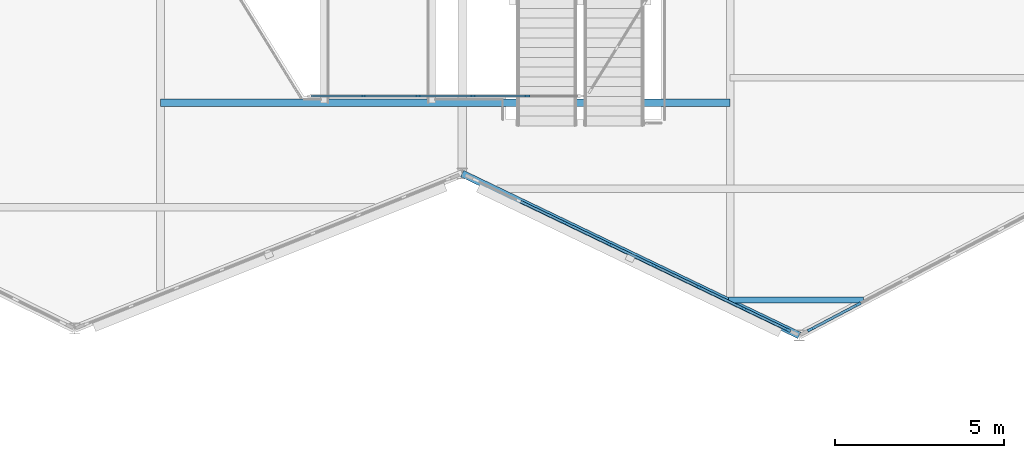
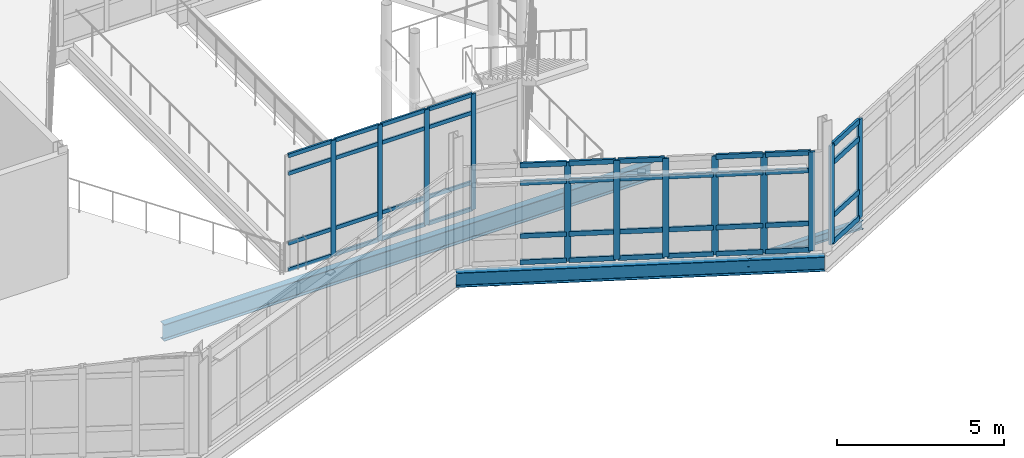
# One storey, part 30 of 114: 55 members, 3 beams, 3 elements without a shape of their own.
"""IFC4 building model written with IfcOpenShell, lengths in metres."""

from ifc_helpers import new_model, si_unit, direction, frame, origin, origin_2d, place, context, subcontext, project, spatial, rectangle, i_section, extrude, material, material_profile, profile_set, type_object, element, aggregate, save


model = new_model("IFC4")

# Units and contexts
model_context = context("Model", 3, precision=1e-05, world=origin(), true_north=direction((0.0, 1.0)))
body_context = subcontext(model_context, "Body", "Model", "MODEL_VIEW")
ifc_project = project(units=[si_unit("LENGTHUNIT", "METRE"), si_unit("AREAUNIT", "SQUARE_METRE"), si_unit("VOLUMEUNIT", "CUBIC_METRE"), si_unit("PLANEANGLEUNIT", "RADIAN"), si_unit("MASSUNIT", "GRAM", prefix="KILO")], contexts=[model_context])

# Site, building, storey
site_placement = place(None, origin())
site = spatial("IfcSite", under=ifc_project, at=site_placement, CompositionType="ELEMENT")
building_placement = place(site_placement, origin())
building = spatial("IfcBuilding", under=site, at=building_placement, Name="Tameran Prism Museum", CompositionType="ELEMENT")
storey_placement = place(building_placement, frame((0.0, 0.0, 10.199951171875)))
storey = spatial("IfcBuildingStorey", under=building, at=storey_placement, Name="L02", CompositionType="ELEMENT", Elevation=10.199951171875)

# Beams
ifc_material_1 = material(Name="Steel Grade 300PLUS (300 MPa)", Category="steel")
ifc_material_profile_1 = material_profile(ifc_material_1, i_section(OverallWidth=0.1650390625, OverallDepth=0.303955078125, WebThickness=0.006103515625, FlangeThickness=0.01025390625, FilletRadius=0.011474609375, at=origin_2d()))
ifc_profile_set_1 = profile_set([ifc_material_profile_1])
beam_type_1 = type_object("IfcBeamType", Name="BM-J310B", PredefinedType="JOIST", material=ifc_profile_set_1)
beam_1_placement = place(storey_placement, frame((85.405029296875, 23.64990234375, -0.35205078125), z_axis=(1.0, 0.0, 0.0), x_axis=(0.0, 1.0, 0.0)))
element("IfcBeam", 1, at=beam_1_placement, inside=storey, type_object=beam_type_1, Name="Floor Beam BM-0854", PredefinedType="JOIST", context=body_context, shape_type="SweptSolid", body=[
    extrude(i_section(OverallWidth=0.1650390625, OverallDepth=0.303955078125, WebThickness=0.006103515625, FlangeThickness=0.01025390625, FilletRadius=0.011474609375, at=origin_2d()), origin(), (0.0, 0.0, 1.0), 3.9970703125),
])
ifc_material_2 = material(Name="Steel Grade 300PLUS (300 MPa)", Category="steel")
ifc_material_profile_2 = material_profile(ifc_material_2, i_section(OverallWidth=0.208984375, OverallDepth=0.532958984375, WebThickness=0.01025390625, FlangeThickness=0.015625, FilletRadius=0.013916015625, at=origin_2d()))
ifc_profile_set_2 = profile_set([ifc_material_profile_2])
beam_type_2 = type_object("IfcBeamType", Name="BM-SP530A", PredefinedType="SPANDREL", material=ifc_profile_set_2)
beam_2_placement = place(storey_placement, frame((77.5, 27.39990234375, -0.466552734375), z_axis=(0.901529926538, -0.432716756732, 0.0), x_axis=(0.432716756732, 0.901529926538, 0.0)))
element("IfcBeam", 2, at=beam_2_placement, inside=storey, type_object=beam_type_2, Name="Perimeter Spandrel SP-0685", PredefinedType="SPANDREL", context=body_context, shape_type="SweptSolid", body=[
    extrude(i_section(OverallWidth=0.208984375, OverallDepth=0.532958984375, WebThickness=0.01025390625, FlangeThickness=0.015625, FilletRadius=0.013916015625, at=origin_2d()), origin(), (0.0, 0.0, 1.0), 11.09228515625),
])
ifc_material_3 = material(Name="Steel Grade 300PLUS (300 MPa)", Category="steel")
ifc_material_profile_3 = material_profile(ifc_material_3, i_section(OverallWidth=0.22900390625, OverallDepth=0.612060546875, WebThickness=0.011962890625, FlangeThickness=0.01953125, FilletRadius=0.013916015625, at=origin_2d()))
ifc_profile_set_3 = profile_set([ifc_material_profile_3])
beam_type_3 = type_object("IfcBeamType", Name="BM-UB610A", PredefinedType="BEAM", material=ifc_profile_set_3)
beam_3_placement = place(storey_placement, frame((68.550048828125, 29.5, -0.5458984375), z_axis=(1.0, 0.0, 0.0), x_axis=(0.0, 1.0, 0.0)))
element("IfcBeam", 3, at=beam_3_placement, inside=storey, type_object=beam_type_3, Name="Atrium Transverse Trimmer ATE-0805", PredefinedType="BEAM", context=body_context, shape_type="SweptSolid", body=[
    extrude(i_section(OverallWidth=0.22900390625, OverallDepth=0.612060546875, WebThickness=0.011962890625, FlangeThickness=0.01953125, FilletRadius=0.013916015625, at=origin_2d()), origin(), (0.0, 0.0, 1.0), 16.89990234375),
])

# Curtain wall, members
ifc_material_4 = material(Name="Anodised Aluminium 6063-T6 and Cyclone Solar Glass", Category="aluminium")
curtain_wall_type_1 = type_object("IfcCurtainWallType", Name="CW-ATR-810x424", PredefinedType="USERDEFINED", material=ifc_material_4)
curtain_wall_1_placement = place(storey_placement, origin())
curtain_wall_1 = element("IfcCurtainWall", 4, at=curtain_wall_1_placement, inside=storey, type_object=curtain_wall_type_1, Name="Unitised Curtain Wall CW-007", ObjectType="UNITISED CURTAIN WALL", PredefinedType="USERDEFINED")
ifc_material_5 = material(Name="Anodised Aluminium Alloy 6063-T6", Category="aluminium")
ifc_material_profile_4 = material_profile(ifc_material_5, rectangle(XDim=0.06494140625, YDim=0.159912109375, at=origin_2d()))
ifc_profile_set_4 = profile_set([ifc_material_profile_4])
member_type_1 = type_object("IfcMemberType", Name="CW-MUL-A", PredefinedType="MULLION", material=ifc_profile_set_4)
member_1_placement = place(storey_placement, frame((74.570068359375, 29.699951171875, 0.0), z_axis=(0.0, 0.0, 1.0), x_axis=(0.0, 1.0, 0.0)))
member_1 = element("IfcMember", 5, at=member_1_placement, type_object=member_type_1, Name="CW-007 mullion 2", PredefinedType="MULLION", context=body_context, shape_type="SweptSolid", body=[
    extrude(rectangle(XDim=0.06494140625, YDim=0.159912109375, at=origin_2d()), origin(), (0.0, 0.0, 1.0), 4.239990234375),
])
member_2_placement = place(storey_placement, frame((76.18994140625, 29.699951171875, 0.0), z_axis=(0.0, 0.0, 1.0), x_axis=(0.0, 1.0, 0.0)))
member_2 = element("IfcMember", 6, at=member_2_placement, type_object=member_type_1, Name="CW-007 mullion 3", PredefinedType="MULLION", context=body_context, shape_type="SweptSolid", body=[
    extrude(rectangle(XDim=0.06494140625, YDim=0.159912109375, at=origin_2d()), origin(), (0.0, 0.0, 1.0), 4.239990234375),
])
member_3_placement = place(storey_placement, frame((77.81005859375, 29.699951171875, 0.0), z_axis=(0.0, 0.0, 1.0), x_axis=(0.0, 1.0, 0.0)))
member_3 = element("IfcMember", 7, at=member_3_placement, type_object=member_type_1, Name="CW-007 mullion 4", PredefinedType="MULLION", context=body_context, shape_type="SweptSolid", body=[
    extrude(rectangle(XDim=0.06494140625, YDim=0.159912109375, at=origin_2d()), origin(), (0.0, 0.0, 1.0), 4.239990234375),
])
member_4_placement = place(storey_placement, frame((79.429931640625, 29.699951171875, 0.0), z_axis=(0.0, 0.0, 1.0), x_axis=(0.0, 1.0, 0.0)))
member_4 = element("IfcMember", 8, at=member_4_placement, type_object=member_type_1, Name="CW-007 mullion 5", PredefinedType="MULLION", context=body_context, shape_type="SweptSolid", body=[
    extrude(rectangle(XDim=0.06494140625, YDim=0.159912109375, at=origin_2d()), origin(), (0.0, 0.0, 1.0), 4.239990234375),
])

ifc_material_6 = material(Name="Anodised Aluminium 6063-T6 and Cyclone Solar Glass", Category="aluminium")
curtain_wall_type_2 = type_object("IfcCurtainWallType", Name="CW-FAC-1033x362", PredefinedType="USERDEFINED", material=ifc_material_6)
curtain_wall_2_placement = place(storey_placement, origin())
curtain_wall_2 = element("IfcCurtainWall", 9, at=curtain_wall_2_placement, inside=storey, type_object=curtain_wall_type_2, Name="Unitised Curtain Wall CW-109", ObjectType="UNITISED CURTAIN WALL", PredefinedType="USERDEFINED")
ifc_material_7 = material(Name="Anodised Aluminium Alloy 6063-T6", Category="aluminium")
ifc_material_profile_5 = material_profile(ifc_material_7, rectangle(XDim=0.074951171875, YDim=0.199951171875, at=origin_2d()))
ifc_profile_set_5 = profile_set([ifc_material_profile_5])
member_type_2 = type_object("IfcMemberType", Name="CW-MUL-C", PredefinedType="MULLION", material=ifc_profile_set_5)
member_5_placement = place(storey_placement, frame((87.150146484375, 22.767333984375, 0.0), z_axis=(0.0, 0.0, 1.0), x_axis=(-0.432831753637, -0.901474721245, 0.0)))
member_5 = element("IfcMember", 10, at=member_5_placement, type_object=member_type_2, Name="CW-109 mullion 1", PredefinedType="MULLION", context=body_context, shape_type="SweptSolid", body=[
    extrude(rectangle(XDim=0.074951171875, YDim=0.199951171875, at=origin_2d()), origin(), (0.0, 0.0, 1.0), 3.6201171875),
])
member_6_placement = place(storey_placement, frame((85.853515625, 23.389892578125, 0.0), z_axis=(0.0, 0.0, 1.0), x_axis=(-0.432831753637, -0.901474721245, 0.0)))
member_6 = element("IfcMember", 11, at=member_6_placement, type_object=member_type_2, Name="CW-109 mullion 2", PredefinedType="MULLION", context=body_context, shape_type="SweptSolid", body=[
    extrude(rectangle(XDim=0.074951171875, YDim=0.199951171875, at=origin_2d()), origin(), (0.0, 0.0, 1.0), 3.6201171875),
])
member_7_placement = place(storey_placement, frame((84.52294921875, 24.02880859375, 0.0), z_axis=(0.0, 0.0, 1.0), x_axis=(-0.432831753637, -0.901474721245, 0.0)))
member_7 = element("IfcMember", 12, at=member_7_placement, type_object=member_type_2, Name="CW-109 mullion 3", PredefinedType="MULLION", context=body_context, shape_type="SweptSolid", body=[
    extrude(rectangle(XDim=0.074951171875, YDim=0.199951171875, at=origin_2d()), origin(), (0.0, 0.0, 1.0), 3.6201171875),
])
member_8_placement = place(storey_placement, frame((83.1923828125, 24.66748046875, 0.0), z_axis=(0.0, 0.0, 1.0), x_axis=(-0.432831753637, -0.901474721245, 0.0)))
member_8 = element("IfcMember", 13, at=member_8_placement, type_object=member_type_2, Name="CW-109 mullion 4", PredefinedType="MULLION", context=body_context, shape_type="SweptSolid", body=[
    extrude(rectangle(XDim=0.074951171875, YDim=0.199951171875, at=origin_2d()), origin(), (0.0, 0.0, 1.0), 3.6201171875),
])
member_9_placement = place(storey_placement, frame((81.86181640625, 25.306396484375, 0.0), z_axis=(0.0, 0.0, 1.0), x_axis=(-0.432831753637, -0.901474721245, 0.0)))
member_9 = element("IfcMember", 14, at=member_9_placement, type_object=member_type_2, Name="CW-109 mullion 5", PredefinedType="MULLION", context=body_context, shape_type="SweptSolid", body=[
    extrude(rectangle(XDim=0.074951171875, YDim=0.199951171875, at=origin_2d()), origin(), (0.0, 0.0, 1.0), 3.6201171875),
])
member_10_placement = place(storey_placement, frame((80.53125, 25.9453125, 0.0), z_axis=(0.0, 0.0, 1.0), x_axis=(-0.432831753637, -0.901474721245, 0.0)))
member_10 = element("IfcMember", 15, at=member_10_placement, type_object=member_type_2, Name="CW-109 mullion 6", PredefinedType="MULLION", context=body_context, shape_type="SweptSolid", body=[
    extrude(rectangle(XDim=0.074951171875, YDim=0.199951171875, at=origin_2d()), origin(), (0.0, 0.0, 1.0), 3.6201171875),
])

ifc_material_8 = material(Name="Anodised Aluminium 6063-T6 and Cyclone Solar Glass", Category="aluminium")
curtain_wall_type_3 = type_object("IfcCurtainWallType", Name="CW-FAC-1123x362", PredefinedType="USERDEFINED", material=ifc_material_8)
curtain_wall_3_placement = place(storey_placement, origin())
curtain_wall_3 = element("IfcCurtainWall", 16, at=curtain_wall_3_placement, inside=storey, type_object=curtain_wall_type_3, Name="Unitised Curtain Wall CW-110", ObjectType="UNITISED CURTAIN WALL", PredefinedType="USERDEFINED")
ifc_material_9 = material(Name="Anodised Aluminium Alloy 6063-T6", Category="aluminium")
ifc_material_profile_6 = material_profile(ifc_material_9, rectangle(XDim=0.080078125, YDim=0.219970703125, at=origin_2d()))
ifc_profile_set_6 = profile_set([ifc_material_profile_6])
member_type_3 = type_object("IfcMemberType", Name="CW-MUL-D", PredefinedType="MULLION", material=ifc_profile_set_6)
member_11_placement = place(storey_placement, frame((89.2275390625, 23.512451171875, 0.0), z_axis=(0.0, 0.0, 1.0), x_axis=(0.467155185438, -0.884175340483, 0.0)))
member_11 = element("IfcMember", 17, at=member_11_placement, type_object=member_type_3, Name="CW-110 mullion 7", PredefinedType="MULLION", context=body_context, shape_type="SweptSolid", body=[
    extrude(rectangle(XDim=0.080078125, YDim=0.219970703125, at=origin_2d()), origin(), (0.0, 0.0, 1.0), 3.6201171875),
])
member_12_placement = place(storey_placement, frame((87.844482421875, 22.78173828125, 0.0), z_axis=(0.0, 0.0, 1.0), x_axis=(0.467155185438, -0.884175340483, 0.0)))
member_12 = element("IfcMember", 18, at=member_12_placement, type_object=member_type_3, Name="CW-110 mullion 8", PredefinedType="MULLION", context=body_context, shape_type="SweptSolid", body=[
    extrude(rectangle(XDim=0.080078125, YDim=0.219970703125, at=origin_2d()), origin(), (0.0, 0.0, 1.0), 3.6201171875),
])

# Member
ifc_material_10 = material(Name="Anodised Aluminium Alloy 6063-T6", Category="aluminium")
ifc_material_profile_7 = material_profile(ifc_material_10, rectangle(XDim=0.06494140625, YDim=0.139892578125, at=origin_2d()))
ifc_profile_set_7 = profile_set([ifc_material_profile_7])
member_type_4 = type_object("IfcMemberType", Name="CW-TRN-A", PredefinedType="USERDEFINED", material=ifc_profile_set_7)
member_13_placement = place(storey_placement, frame((73.014892578125, 29.699951171875, 0.032470703125), z_axis=(1.0, 0.0, 0.0), x_axis=(0.0, 1.0, 0.0)))
member_13 = element("IfcMember", 19, at=member_13_placement, type_object=member_type_4, Name="CW-007 transom 1.1", ObjectType="TRANSOM", PredefinedType="USERDEFINED", context=body_context, shape_type="SweptSolid", body=[
    extrude(rectangle(XDim=0.06494140625, YDim=0.139892578125, at=origin_2d()), origin(), (0.0, 0.0, 1.0), 1.522705078125),
])

member_14_placement = place(storey_placement, frame((73.014892578125, 29.699951171875, 1.0), z_axis=(1.0, 0.0, 0.0), x_axis=(0.0, 1.0, 0.0)))
member_14 = element("IfcMember", 20, at=member_14_placement, type_object=member_type_4, Name="CW-007 transom 1.2", ObjectType="TRANSOM", PredefinedType="USERDEFINED", context=body_context, shape_type="SweptSolid", body=[
    extrude(rectangle(XDim=0.06494140625, YDim=0.139892578125, at=origin_2d()), origin(), (0.0, 0.0, 1.0), 1.522705078125),
])

member_15_placement = place(storey_placement, frame((73.014892578125, 29.699951171875, 3.56005859375), z_axis=(1.0, 0.0, 0.0), x_axis=(0.0, 1.0, 0.0)))
member_15 = element("IfcMember", 21, at=member_15_placement, type_object=member_type_4, Name="CW-007 transom 1.3", ObjectType="TRANSOM", PredefinedType="USERDEFINED", context=body_context, shape_type="SweptSolid", body=[
    extrude(rectangle(XDim=0.06494140625, YDim=0.139892578125, at=origin_2d()), origin(), (0.0, 0.0, 1.0), 1.522705078125),
])

member_16_placement = place(storey_placement, frame((73.014892578125, 29.699951171875, 4.20751953125), z_axis=(1.0, 0.0, 0.0), x_axis=(0.0, 1.0, 0.0)))
member_16 = element("IfcMember", 22, at=member_16_placement, type_object=member_type_4, Name="CW-007 transom 1.4", ObjectType="TRANSOM", PredefinedType="USERDEFINED", context=body_context, shape_type="SweptSolid", body=[
    extrude(rectangle(XDim=0.06494140625, YDim=0.139892578125, at=origin_2d()), origin(), (0.0, 0.0, 1.0), 1.522705078125),
])

member_17_placement = place(storey_placement, frame((74.6025390625, 29.699951171875, 0.032470703125), z_axis=(1.0, 0.0, 0.0), x_axis=(0.0, 1.0, 0.0)))
member_17 = element("IfcMember", 23, at=member_17_placement, type_object=member_type_4, Name="CW-007 transom 2.1", ObjectType="TRANSOM", PredefinedType="USERDEFINED", context=body_context, shape_type="SweptSolid", body=[
    extrude(rectangle(XDim=0.06494140625, YDim=0.139892578125, at=origin_2d()), origin(), (0.0, 0.0, 1.0), 1.554931640625),
])

member_18_placement = place(storey_placement, frame((74.6025390625, 29.699951171875, 1.0), z_axis=(1.0, 0.0, 0.0), x_axis=(0.0, 1.0, 0.0)))
member_18 = element("IfcMember", 24, at=member_18_placement, type_object=member_type_4, Name="CW-007 transom 2.2", ObjectType="TRANSOM", PredefinedType="USERDEFINED", context=body_context, shape_type="SweptSolid", body=[
    extrude(rectangle(XDim=0.06494140625, YDim=0.139892578125, at=origin_2d()), origin(), (0.0, 0.0, 1.0), 1.554931640625),
])

member_19_placement = place(storey_placement, frame((74.6025390625, 29.699951171875, 3.56005859375), z_axis=(1.0, 0.0, 0.0), x_axis=(0.0, 1.0, 0.0)))
member_19 = element("IfcMember", 25, at=member_19_placement, type_object=member_type_4, Name="CW-007 transom 2.3", ObjectType="TRANSOM", PredefinedType="USERDEFINED", context=body_context, shape_type="SweptSolid", body=[
    extrude(rectangle(XDim=0.06494140625, YDim=0.139892578125, at=origin_2d()), origin(), (0.0, 0.0, 1.0), 1.554931640625),
])

member_20_placement = place(storey_placement, frame((74.6025390625, 29.699951171875, 4.20751953125), z_axis=(1.0, 0.0, 0.0), x_axis=(0.0, 1.0, 0.0)))
member_20 = element("IfcMember", 26, at=member_20_placement, type_object=member_type_4, Name="CW-007 transom 2.4", ObjectType="TRANSOM", PredefinedType="USERDEFINED", context=body_context, shape_type="SweptSolid", body=[
    extrude(rectangle(XDim=0.06494140625, YDim=0.139892578125, at=origin_2d()), origin(), (0.0, 0.0, 1.0), 1.554931640625),
])

member_21_placement = place(storey_placement, frame((76.222412109375, 29.699951171875, 0.032470703125), z_axis=(1.0, 0.0, 0.0), x_axis=(0.0, 1.0, 0.0)))
member_21 = element("IfcMember", 27, at=member_21_placement, type_object=member_type_4, Name="CW-007 transom 3.1", ObjectType="TRANSOM", PredefinedType="USERDEFINED", context=body_context, shape_type="SweptSolid", body=[
    extrude(rectangle(XDim=0.06494140625, YDim=0.139892578125, at=origin_2d()), origin(), (0.0, 0.0, 1.0), 1.55517578125),
])

member_22_placement = place(storey_placement, frame((76.222412109375, 29.699951171875, 1.0), z_axis=(1.0, 0.0, 0.0), x_axis=(0.0, 1.0, 0.0)))
member_22 = element("IfcMember", 28, at=member_22_placement, type_object=member_type_4, Name="CW-007 transom 3.2", ObjectType="TRANSOM", PredefinedType="USERDEFINED", context=body_context, shape_type="SweptSolid", body=[
    extrude(rectangle(XDim=0.06494140625, YDim=0.139892578125, at=origin_2d()), origin(), (0.0, 0.0, 1.0), 1.55517578125),
])

member_23_placement = place(storey_placement, frame((76.222412109375, 29.699951171875, 3.56005859375), z_axis=(1.0, 0.0, 0.0), x_axis=(0.0, 1.0, 0.0)))
member_23 = element("IfcMember", 29, at=member_23_placement, type_object=member_type_4, Name="CW-007 transom 3.3", ObjectType="TRANSOM", PredefinedType="USERDEFINED", context=body_context, shape_type="SweptSolid", body=[
    extrude(rectangle(XDim=0.06494140625, YDim=0.139892578125, at=origin_2d()), origin(), (0.0, 0.0, 1.0), 1.55517578125),
])

member_24_placement = place(storey_placement, frame((76.222412109375, 29.699951171875, 4.20751953125), z_axis=(1.0, 0.0, 0.0), x_axis=(0.0, 1.0, 0.0)))
member_24 = element("IfcMember", 30, at=member_24_placement, type_object=member_type_4, Name="CW-007 transom 3.4", ObjectType="TRANSOM", PredefinedType="USERDEFINED", context=body_context, shape_type="SweptSolid", body=[
    extrude(rectangle(XDim=0.06494140625, YDim=0.139892578125, at=origin_2d()), origin(), (0.0, 0.0, 1.0), 1.55517578125),
])

member_25_placement = place(storey_placement, frame((77.842529296875, 29.699951171875, 0.032470703125), z_axis=(1.0, 0.0, 0.0), x_axis=(0.0, 1.0, 0.0)))
member_25 = element("IfcMember", 31, at=member_25_placement, type_object=member_type_4, Name="CW-007 transom 4.1", ObjectType="TRANSOM", PredefinedType="USERDEFINED", context=body_context, shape_type="SweptSolid", body=[
    extrude(rectangle(XDim=0.06494140625, YDim=0.139892578125, at=origin_2d()), origin(), (0.0, 0.0, 1.0), 1.554931640625),
])

member_26_placement = place(storey_placement, frame((77.842529296875, 29.699951171875, 1.0), z_axis=(1.0, 0.0, 0.0), x_axis=(0.0, 1.0, 0.0)))
member_26 = element("IfcMember", 32, at=member_26_placement, type_object=member_type_4, Name="CW-007 transom 4.2", ObjectType="TRANSOM", PredefinedType="USERDEFINED", context=body_context, shape_type="SweptSolid", body=[
    extrude(rectangle(XDim=0.06494140625, YDim=0.139892578125, at=origin_2d()), origin(), (0.0, 0.0, 1.0), 1.554931640625),
])

member_27_placement = place(storey_placement, frame((77.842529296875, 29.699951171875, 3.56005859375), z_axis=(1.0, 0.0, 0.0), x_axis=(0.0, 1.0, 0.0)))
member_27 = element("IfcMember", 33, at=member_27_placement, type_object=member_type_4, Name="CW-007 transom 4.3", ObjectType="TRANSOM", PredefinedType="USERDEFINED", context=body_context, shape_type="SweptSolid", body=[
    extrude(rectangle(XDim=0.06494140625, YDim=0.139892578125, at=origin_2d()), origin(), (0.0, 0.0, 1.0), 1.554931640625),
])

member_28_placement = place(storey_placement, frame((77.842529296875, 29.699951171875, 4.20751953125), z_axis=(1.0, 0.0, 0.0), x_axis=(0.0, 1.0, 0.0)))
member_28 = element("IfcMember", 34, at=member_28_placement, type_object=member_type_4, Name="CW-007 transom 4.4", ObjectType="TRANSOM", PredefinedType="USERDEFINED", context=body_context, shape_type="SweptSolid", body=[
    extrude(rectangle(XDim=0.06494140625, YDim=0.139892578125, at=origin_2d()), origin(), (0.0, 0.0, 1.0), 1.554931640625),
])

aggregate(curtain_wall_1, [member_1, member_2, member_3, member_4, member_13, member_14, member_15, member_16, member_17, member_18, member_19, member_20, member_21, member_22, member_23, member_24, member_25, member_26, member_27, member_28])

ifc_material_11 = material(Name="Anodised Aluminium Alloy 6063-T6", Category="aluminium")
ifc_material_profile_8 = material_profile(ifc_material_11, rectangle(XDim=0.074951171875, YDim=0.175048828125, at=origin_2d()))
ifc_profile_set_8 = profile_set([ifc_material_profile_8])
member_type_5 = type_object("IfcMemberType", Name="CW-TRN-C", PredefinedType="USERDEFINED", material=ifc_profile_set_8)
member_29_placement = place(storey_placement, frame((87.116455078125, 22.783447265625, 0.03759765625), z_axis=(-0.901509087026, 0.432760171468, 0.0), x_axis=(-0.432760171468, -0.901509087026, 0.0)))
member_29 = element("IfcMember", 35, at=member_29_placement, type_object=member_type_5, Name="CW-109 transom 1.1", ObjectType="TRANSOM", PredefinedType="USERDEFINED", context=body_context, shape_type="SweptSolid", body=[
    extrude(rectangle(XDim=0.074951171875, YDim=0.175048828125, at=origin_2d()), origin(), (0.0, 0.0, 1.0), 1.363525390625),
])

member_30_placement = place(storey_placement, frame((87.116455078125, 22.783447265625, 1.0), z_axis=(-0.901509087026, 0.432760171468, 0.0), x_axis=(-0.432760171468, -0.901509087026, 0.0)))
member_30 = element("IfcMember", 36, at=member_30_placement, type_object=member_type_5, Name="CW-109 transom 1.2", ObjectType="TRANSOM", PredefinedType="USERDEFINED", context=body_context, shape_type="SweptSolid", body=[
    extrude(rectangle(XDim=0.074951171875, YDim=0.175048828125, at=origin_2d()), origin(), (0.0, 0.0, 1.0), 1.363525390625),
])

member_31_placement = place(storey_placement, frame((87.116455078125, 22.783447265625, 2.93994140625), z_axis=(-0.901509087026, 0.432760171468, 0.0), x_axis=(-0.432760171468, -0.901509087026, 0.0)))
member_31 = element("IfcMember", 37, at=member_31_placement, type_object=member_type_5, Name="CW-109 transom 1.3", ObjectType="TRANSOM", PredefinedType="USERDEFINED", context=body_context, shape_type="SweptSolid", body=[
    extrude(rectangle(XDim=0.074951171875, YDim=0.175048828125, at=origin_2d()), origin(), (0.0, 0.0, 1.0), 1.363525390625),
])

member_32_placement = place(storey_placement, frame((87.116455078125, 22.783447265625, 3.58251953125), z_axis=(-0.901509087026, 0.432760171468, 0.0), x_axis=(-0.432760171468, -0.901509087026, 0.0)))
member_32 = element("IfcMember", 38, at=member_32_placement, type_object=member_type_5, Name="CW-109 transom 1.4", ObjectType="TRANSOM", PredefinedType="USERDEFINED", context=body_context, shape_type="SweptSolid", body=[
    extrude(rectangle(XDim=0.074951171875, YDim=0.175048828125, at=origin_2d()), origin(), (0.0, 0.0, 1.0), 1.363525390625),
])

member_33_placement = place(storey_placement, frame((85.819580078125, 23.406005859375, 0.03759765625), z_axis=(-0.90145778391, 0.432867027882, 0.0), x_axis=(-0.432867027882, -0.90145778391, 0.0)))
member_33 = element("IfcMember", 39, at=member_33_placement, type_object=member_type_5, Name="CW-109 transom 2.1", ObjectType="TRANSOM", PredefinedType="USERDEFINED", context=body_context, shape_type="SweptSolid", body=[
    extrude(rectangle(XDim=0.074951171875, YDim=0.175048828125, at=origin_2d()), origin(), (0.0, 0.0, 1.0), 1.40087890625),
])

member_34_placement = place(storey_placement, frame((85.819580078125, 23.406005859375, 1.0), z_axis=(-0.90145778391, 0.432867027882, 0.0), x_axis=(-0.432867027882, -0.90145778391, 0.0)))
member_34 = element("IfcMember", 40, at=member_34_placement, type_object=member_type_5, Name="CW-109 transom 2.2", ObjectType="TRANSOM", PredefinedType="USERDEFINED", context=body_context, shape_type="SweptSolid", body=[
    extrude(rectangle(XDim=0.074951171875, YDim=0.175048828125, at=origin_2d()), origin(), (0.0, 0.0, 1.0), 1.40087890625),
])

member_35_placement = place(storey_placement, frame((85.819580078125, 23.406005859375, 2.93994140625), z_axis=(-0.90145778391, 0.432867027882, 0.0), x_axis=(-0.432867027882, -0.90145778391, 0.0)))
member_35 = element("IfcMember", 41, at=member_35_placement, type_object=member_type_5, Name="CW-109 transom 2.3", ObjectType="TRANSOM", PredefinedType="USERDEFINED", context=body_context, shape_type="SweptSolid", body=[
    extrude(rectangle(XDim=0.074951171875, YDim=0.175048828125, at=origin_2d()), origin(), (0.0, 0.0, 1.0), 1.40087890625),
])

member_36_placement = place(storey_placement, frame((85.819580078125, 23.406005859375, 3.58251953125), z_axis=(-0.90145778391, 0.432867027882, 0.0), x_axis=(-0.432867027882, -0.90145778391, 0.0)))
member_36 = element("IfcMember", 42, at=member_36_placement, type_object=member_type_5, Name="CW-109 transom 2.4", ObjectType="TRANSOM", PredefinedType="USERDEFINED", context=body_context, shape_type="SweptSolid", body=[
    extrude(rectangle(XDim=0.074951171875, YDim=0.175048828125, at=origin_2d()), origin(), (0.0, 0.0, 1.0), 1.40087890625),
])

member_37_placement = place(storey_placement, frame((84.489013671875, 24.044921875, 0.03759765625), z_axis=(-0.90145778391, 0.432867027882, 0.0), x_axis=(-0.432867027882, -0.90145778391, 0.0)))
member_37 = element("IfcMember", 43, at=member_37_placement, type_object=member_type_5, Name="CW-109 transom 3.1", ObjectType="TRANSOM", PredefinedType="USERDEFINED", context=body_context, shape_type="SweptSolid", body=[
    extrude(rectangle(XDim=0.074951171875, YDim=0.175048828125, at=origin_2d()), origin(), (0.0, 0.0, 1.0), 1.40087890625),
])

member_38_placement = place(storey_placement, frame((84.489013671875, 24.044921875, 1.0), z_axis=(-0.90145778391, 0.432867027882, 0.0), x_axis=(-0.432867027882, -0.90145778391, 0.0)))
member_38 = element("IfcMember", 44, at=member_38_placement, type_object=member_type_5, Name="CW-109 transom 3.2", ObjectType="TRANSOM", PredefinedType="USERDEFINED", context=body_context, shape_type="SweptSolid", body=[
    extrude(rectangle(XDim=0.074951171875, YDim=0.175048828125, at=origin_2d()), origin(), (0.0, 0.0, 1.0), 1.40087890625),
])

member_39_placement = place(storey_placement, frame((84.489013671875, 24.044921875, 2.93994140625), z_axis=(-0.90145778391, 0.432867027882, 0.0), x_axis=(-0.432867027882, -0.90145778391, 0.0)))
member_39 = element("IfcMember", 45, at=member_39_placement, type_object=member_type_5, Name="CW-109 transom 3.3", ObjectType="TRANSOM", PredefinedType="USERDEFINED", context=body_context, shape_type="SweptSolid", body=[
    extrude(rectangle(XDim=0.074951171875, YDim=0.175048828125, at=origin_2d()), origin(), (0.0, 0.0, 1.0), 1.40087890625),
])

member_40_placement = place(storey_placement, frame((83.158447265625, 24.683837890625, 0.03759765625), z_axis=(-0.90145778391, 0.432867027882, 0.0), x_axis=(-0.432867027882, -0.90145778391, 0.0)))
member_40 = element("IfcMember", 46, at=member_40_placement, type_object=member_type_5, Name="CW-109 transom 4.1", ObjectType="TRANSOM", PredefinedType="USERDEFINED", context=body_context, shape_type="SweptSolid", body=[
    extrude(rectangle(XDim=0.074951171875, YDim=0.175048828125, at=origin_2d()), origin(), (0.0, 0.0, 1.0), 1.40087890625),
])

member_41_placement = place(storey_placement, frame((83.158447265625, 24.683837890625, 1.0), z_axis=(-0.90145778391, 0.432867027882, 0.0), x_axis=(-0.432867027882, -0.90145778391, 0.0)))
member_41 = element("IfcMember", 47, at=member_41_placement, type_object=member_type_5, Name="CW-109 transom 4.2", ObjectType="TRANSOM", PredefinedType="USERDEFINED", context=body_context, shape_type="SweptSolid", body=[
    extrude(rectangle(XDim=0.074951171875, YDim=0.175048828125, at=origin_2d()), origin(), (0.0, 0.0, 1.0), 1.40087890625),
])

member_42_placement = place(storey_placement, frame((83.158447265625, 24.683837890625, 2.93994140625), z_axis=(-0.90145778391, 0.432867027882, 0.0), x_axis=(-0.432867027882, -0.90145778391, 0.0)))
member_42 = element("IfcMember", 48, at=member_42_placement, type_object=member_type_5, Name="CW-109 transom 4.3", ObjectType="TRANSOM", PredefinedType="USERDEFINED", context=body_context, shape_type="SweptSolid", body=[
    extrude(rectangle(XDim=0.074951171875, YDim=0.175048828125, at=origin_2d()), origin(), (0.0, 0.0, 1.0), 1.40087890625),
])

member_43_placement = place(storey_placement, frame((83.158447265625, 24.683837890625, 3.58251953125), z_axis=(-0.90145778391, 0.432867027882, 0.0), x_axis=(-0.432867027882, -0.90145778391, 0.0)))
member_43 = element("IfcMember", 49, at=member_43_placement, type_object=member_type_5, Name="CW-109 transom 4.4", ObjectType="TRANSOM", PredefinedType="USERDEFINED", context=body_context, shape_type="SweptSolid", body=[
    extrude(rectangle(XDim=0.074951171875, YDim=0.175048828125, at=origin_2d()), origin(), (0.0, 0.0, 1.0), 1.40087890625),
])

member_44_placement = place(storey_placement, frame((81.827880859375, 25.32275390625, 0.03759765625), z_axis=(-0.90152577696, 0.432725401931, 0.0), x_axis=(-0.432725401931, -0.90152577696, 0.0)))
member_44 = element("IfcMember", 50, at=member_44_placement, type_object=member_type_5, Name="CW-109 transom 5.1", ObjectType="TRANSOM", PredefinedType="USERDEFINED", context=body_context, shape_type="SweptSolid", body=[
    extrude(rectangle(XDim=0.074951171875, YDim=0.175048828125, at=origin_2d()), origin(), (0.0, 0.0, 1.0), 1.40087890625),
])

member_45_placement = place(storey_placement, frame((81.827880859375, 25.32275390625, 1.0), z_axis=(-0.90152577696, 0.432725401931, 0.0), x_axis=(-0.432725401931, -0.90152577696, 0.0)))
member_45 = element("IfcMember", 51, at=member_45_placement, type_object=member_type_5, Name="CW-109 transom 5.2", ObjectType="TRANSOM", PredefinedType="USERDEFINED", context=body_context, shape_type="SweptSolid", body=[
    extrude(rectangle(XDim=0.074951171875, YDim=0.175048828125, at=origin_2d()), origin(), (0.0, 0.0, 1.0), 1.40087890625),
])

member_46_placement = place(storey_placement, frame((81.827880859375, 25.32275390625, 2.93994140625), z_axis=(-0.90152577696, 0.432725401931, 0.0), x_axis=(-0.432725401931, -0.90152577696, 0.0)))
member_46 = element("IfcMember", 52, at=member_46_placement, type_object=member_type_5, Name="CW-109 transom 5.3", ObjectType="TRANSOM", PredefinedType="USERDEFINED", context=body_context, shape_type="SweptSolid", body=[
    extrude(rectangle(XDim=0.074951171875, YDim=0.175048828125, at=origin_2d()), origin(), (0.0, 0.0, 1.0), 1.40087890625),
])

member_47_placement = place(storey_placement, frame((81.827880859375, 25.32275390625, 3.58251953125), z_axis=(-0.90152577696, 0.432725401931, 0.0), x_axis=(-0.432725401931, -0.90152577696, 0.0)))
member_47 = element("IfcMember", 53, at=member_47_placement, type_object=member_type_5, Name="CW-109 transom 5.4", ObjectType="TRANSOM", PredefinedType="USERDEFINED", context=body_context, shape_type="SweptSolid", body=[
    extrude(rectangle(XDim=0.074951171875, YDim=0.175048828125, at=origin_2d()), origin(), (0.0, 0.0, 1.0), 1.40087890625),
])

member_48_placement = place(storey_placement, frame((80.497314453125, 25.96142578125, 0.03759765625), z_axis=(-0.90145778391, 0.432867027882, 0.0), x_axis=(-0.432867027882, -0.90145778391, 0.0)))
member_48 = element("IfcMember", 54, at=member_48_placement, type_object=member_type_5, Name="CW-109 transom 6.1", ObjectType="TRANSOM", PredefinedType="USERDEFINED", context=body_context, shape_type="SweptSolid", body=[
    extrude(rectangle(XDim=0.074951171875, YDim=0.175048828125, at=origin_2d()), origin(), (0.0, 0.0, 1.0), 1.40087890625),
])

member_49_placement = place(storey_placement, frame((80.497314453125, 25.96142578125, 1.0), z_axis=(-0.90145778391, 0.432867027882, 0.0), x_axis=(-0.432867027882, -0.90145778391, 0.0)))
member_49 = element("IfcMember", 55, at=member_49_placement, type_object=member_type_5, Name="CW-109 transom 6.2", ObjectType="TRANSOM", PredefinedType="USERDEFINED", context=body_context, shape_type="SweptSolid", body=[
    extrude(rectangle(XDim=0.074951171875, YDim=0.175048828125, at=origin_2d()), origin(), (0.0, 0.0, 1.0), 1.40087890625),
])

member_50_placement = place(storey_placement, frame((80.497314453125, 25.96142578125, 2.93994140625), z_axis=(-0.90145778391, 0.432867027882, 0.0), x_axis=(-0.432867027882, -0.90145778391, 0.0)))
member_50 = element("IfcMember", 56, at=member_50_placement, type_object=member_type_5, Name="CW-109 transom 6.3", ObjectType="TRANSOM", PredefinedType="USERDEFINED", context=body_context, shape_type="SweptSolid", body=[
    extrude(rectangle(XDim=0.074951171875, YDim=0.175048828125, at=origin_2d()), origin(), (0.0, 0.0, 1.0), 1.40087890625),
])

member_51_placement = place(storey_placement, frame((80.497314453125, 25.96142578125, 3.58251953125), z_axis=(-0.90145778391, 0.432867027882, 0.0), x_axis=(-0.432867027882, -0.90145778391, 0.0)))
member_51 = element("IfcMember", 57, at=member_51_placement, type_object=member_type_5, Name="CW-109 transom 6.4", ObjectType="TRANSOM", PredefinedType="USERDEFINED", context=body_context, shape_type="SweptSolid", body=[
    extrude(rectangle(XDim=0.074951171875, YDim=0.175048828125, at=origin_2d()), origin(), (0.0, 0.0, 1.0), 1.40087890625),
])

aggregate(curtain_wall_2, [member_5, member_6, member_7, member_8, member_9, member_10, member_29, member_30, member_31, member_32, member_33, member_34, member_35, member_36, member_37, member_38, member_39, member_40, member_41, member_42, member_43, member_44, member_45, member_46, member_47, member_48, member_49, member_50, member_51])

ifc_material_12 = material(Name="Anodised Aluminium Alloy 6063-T6", Category="aluminium")
ifc_material_profile_9 = material_profile(ifc_material_12, rectangle(XDim=0.080078125, YDim=0.195068359375, at=origin_2d()))
ifc_profile_set_9 = profile_set([ifc_material_profile_9])
member_type_6 = type_object("IfcMemberType", Name="CW-TRN-D", PredefinedType="USERDEFINED", material=ifc_profile_set_9)
member_52_placement = place(storey_placement, frame((89.192138671875, 23.49365234375, 0.0400390625), z_axis=(-0.884203637637, -0.467101624049, 0.0), x_axis=(0.467101624049, -0.884203637637, 0.0)))
member_52 = element("IfcMember", 58, at=member_52_placement, type_object=member_type_6, Name="CW-110 transom 7.1", ObjectType="TRANSOM", PredefinedType="USERDEFINED", context=body_context, shape_type="SweptSolid", body=[
    extrude(rectangle(XDim=0.080078125, YDim=0.195068359375, at=origin_2d()), origin(), (0.0, 0.0, 1.0), 1.484375),
])

member_53_placement = place(storey_placement, frame((89.192138671875, 23.49365234375, 1.0), z_axis=(-0.884203637637, -0.467101624049, 0.0), x_axis=(0.467101624049, -0.884203637637, 0.0)))
member_53 = element("IfcMember", 59, at=member_53_placement, type_object=member_type_6, Name="CW-110 transom 7.2", ObjectType="TRANSOM", PredefinedType="USERDEFINED", context=body_context, shape_type="SweptSolid", body=[
    extrude(rectangle(XDim=0.080078125, YDim=0.195068359375, at=origin_2d()), origin(), (0.0, 0.0, 1.0), 1.484375),
])

member_54_placement = place(storey_placement, frame((89.192138671875, 23.49365234375, 2.93994140625), z_axis=(-0.884203637637, -0.467101624049, 0.0), x_axis=(0.467101624049, -0.884203637637, 0.0)))
member_54 = element("IfcMember", 60, at=member_54_placement, type_object=member_type_6, Name="CW-110 transom 7.3", ObjectType="TRANSOM", PredefinedType="USERDEFINED", context=body_context, shape_type="SweptSolid", body=[
    extrude(rectangle(XDim=0.080078125, YDim=0.195068359375, at=origin_2d()), origin(), (0.0, 0.0, 1.0), 1.484375),
])

member_55_placement = place(storey_placement, frame((89.192138671875, 23.49365234375, 3.580078125), z_axis=(-0.884203637637, -0.467101624049, 0.0), x_axis=(0.467101624049, -0.884203637637, 0.0)))
member_55 = element("IfcMember", 61, at=member_55_placement, type_object=member_type_6, Name="CW-110 transom 7.4", ObjectType="TRANSOM", PredefinedType="USERDEFINED", context=body_context, shape_type="SweptSolid", body=[
    extrude(rectangle(XDim=0.080078125, YDim=0.195068359375, at=origin_2d()), origin(), (0.0, 0.0, 1.0), 1.484375),
])

aggregate(curtain_wall_3, [member_11, member_12, member_52, member_53, member_54, member_55])

save(model, "model.ifc")
